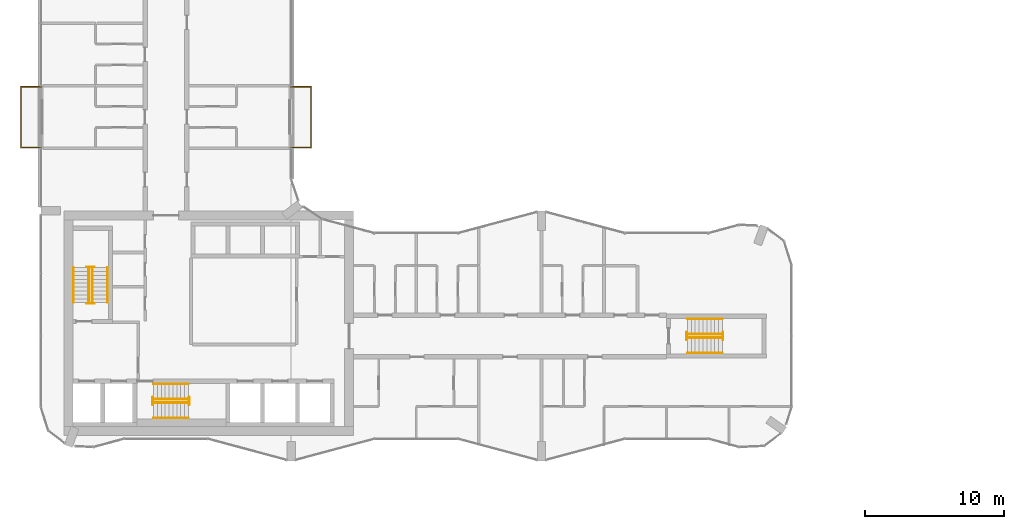
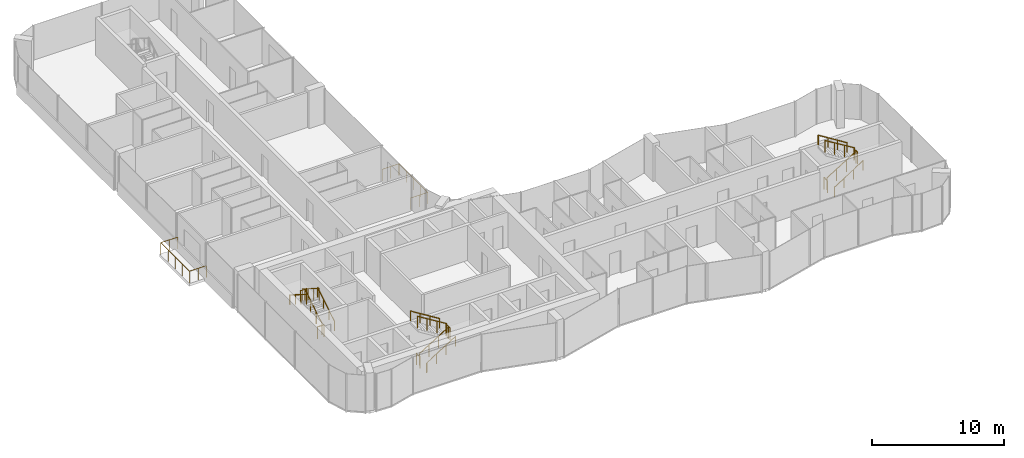
# One storey, part 20 of 22: 20 railings.
"""IFC4 building model written with IfcOpenShell, lengths in metres."""

from ifc_helpers import new_model, si_unit, direction, frame, origin, origin_2d, place, context, subcontext, project, spatial, circle, extrude, material, type_object, element, save


model = new_model("IFC4")

# Units and contexts
model_context = context("Model", 3, precision=1e-05, world=origin(), true_north=direction((0.0, 1.0)))
body_context = subcontext(model_context, "Body", "Model", "MODEL_VIEW")
ifc_project = project(units=[si_unit("LENGTHUNIT", "METRE"), si_unit("AREAUNIT", "SQUARE_METRE"), si_unit("VOLUMEUNIT", "CUBIC_METRE"), si_unit("PLANEANGLEUNIT", "RADIAN"), si_unit("MASSUNIT", "GRAM", prefix="KILO")], contexts=[model_context])

# Site, building, storey
site_placement = place(None, origin())
site = spatial("IfcSite", under=ifc_project, at=site_placement, CompositionType="ELEMENT")
building_placement = place(site_placement, origin())
building = spatial("IfcBuilding", under=site, at=building_placement, Name="Plateau Cross Towers", CompositionType="ELEMENT")
storey_placement = place(building_placement, frame((0.0, 0.0, 102.800048828125)))
storey = spatial("IfcBuildingStorey", under=building, at=storey_placement, Name="L26", CompositionType="ELEMENT", Elevation=102.800048828125)

# Railings
ifc_material_1 = material(Name="Stainless steel and toughened glass", Category="steel")
railing_type_1 = type_object("IfcRailingType", Name="Glass balustrade guard 1100", PredefinedType="GUARDRAIL", material=ifc_material_1)
railing_1_placement = place(storey_placement, frame((0.050048828125, 22.570068359375, 0.0)))
element("IfcRailing", 1, at=railing_1_placement, inside=storey, type_object=railing_type_1, Name="Guard guard1", PredefinedType="GUARDRAIL", context=body_context, shape_type="SweptSolid", body=[
    extrude(circle(Radius=0.02392578125, at=origin_2d()), frame((0.0, 0.0, 1.076171875), z_axis=(-1.0, 0.0, 0.0), x_axis=(0.0, -1.0, 0.0)), (0.0, 0.0, 1.0), 1.47998046875),
    extrude(circle(Radius=0.02392578125, at=origin_2d()), frame((-1.47998046875, 0.0, 1.076171875), z_axis=(0.0, 1.0, 0.0), x_axis=(-1.0, 0.0, 0.0)), (0.0, 0.0, 1.0), 4.35986328125),
    extrude(circle(Radius=0.02392578125, at=origin_2d()), frame((-1.47998046875, 4.35986328125, 1.076171875), z_axis=(1.0, 0.0, 0.0), x_axis=(0.0, 1.0, 0.0)), (0.0, 0.0, 1.0), 1.47998046875),
    extrude(circle(Radius=0.02099609375, at=origin_2d()), origin(), (0.0, 0.0, 1.0), 1.052001953125),
    extrude(circle(Radius=0.02099609375, at=origin_2d()), frame((-0.739990234375, 0.0, 0.0)), (0.0, 0.0, 1.0), 1.052001953125),
    extrude(circle(Radius=0.02099609375, at=origin_2d()), frame((-1.47998046875, 0.0, 0.0)), (0.0, 0.0, 1.0), 1.052001953125),
    extrude(circle(Radius=0.02099609375, at=origin_2d()), frame((-1.47998046875, 1.08984375, 0.0)), (0.0, 0.0, 1.0), 1.052001953125),
    extrude(circle(Radius=0.02099609375, at=origin_2d()), frame((-1.47998046875, 2.179931640625, 0.0)), (0.0, 0.0, 1.0), 1.052001953125),
    extrude(circle(Radius=0.02099609375, at=origin_2d()), frame((-1.47998046875, 3.27001953125, 0.0)), (0.0, 0.0, 1.0), 1.052001953125),
    extrude(circle(Radius=0.02099609375, at=origin_2d()), frame((-1.47998046875, 4.35986328125, 0.0)), (0.0, 0.0, 1.0), 1.052001953125),
    extrude(circle(Radius=0.02099609375, at=origin_2d()), frame((-0.739990234375, 4.35986328125, 0.0)), (0.0, 0.0, 1.0), 1.052001953125),
    extrude(circle(Radius=0.02099609375, at=origin_2d()), frame((0.0, 4.35986328125, 0.0)), (0.0, 0.0, 1.0), 1.052001953125),
])
railing_2_placement = place(storey_placement, frame((17.949951171875, 26.929931640625, 0.0)))
element("IfcRailing", 2, at=railing_2_placement, inside=storey, type_object=railing_type_1, Name="Guard guard1", PredefinedType="GUARDRAIL", context=body_context, shape_type="SweptSolid", body=[
    extrude(circle(Radius=0.02392578125, at=origin_2d()), frame((0.0, 0.0, 1.076171875), z_axis=(1.0, 0.0, 0.0), x_axis=(0.0, 1.0, 0.0)), (0.0, 0.0, 1.0), 1.47998046875),
    extrude(circle(Radius=0.02392578125, at=origin_2d()), frame((1.47998046875, 0.0, 1.076171875), z_axis=(0.0, -1.0, 0.0), x_axis=(1.0, 0.0, 0.0)), (0.0, 0.0, 1.0), 4.35986328125),
    extrude(circle(Radius=0.02392578125, at=origin_2d()), frame((1.47998046875, -4.35986328125, 1.076171875), z_axis=(-1.0, 0.0, 0.0), x_axis=(0.0, -1.0, 0.0)), (0.0, 0.0, 1.0), 1.47998046875),
    extrude(circle(Radius=0.02099609375, at=origin_2d()), origin(), (0.0, 0.0, 1.0), 1.052001953125),
    extrude(circle(Radius=0.02099609375, at=origin_2d()), frame((0.739990234375, 0.0, 0.0)), (0.0, 0.0, 1.0), 1.052001953125),
    extrude(circle(Radius=0.02099609375, at=origin_2d()), frame((1.47998046875, 0.0, 0.0)), (0.0, 0.0, 1.0), 1.052001953125),
    extrude(circle(Radius=0.02099609375, at=origin_2d()), frame((1.47998046875, -1.08984375, 0.0)), (0.0, 0.0, 1.0), 1.052001953125),
    extrude(circle(Radius=0.02099609375, at=origin_2d()), frame((1.47998046875, -2.179931640625, 0.0)), (0.0, 0.0, 1.0), 1.052001953125),
    extrude(circle(Radius=0.02099609375, at=origin_2d()), frame((1.47998046875, -3.27001953125, 0.0)), (0.0, 0.0, 1.0), 1.052001953125),
    extrude(circle(Radius=0.02099609375, at=origin_2d()), frame((1.47998046875, -4.35986328125, 0.0)), (0.0, 0.0, 1.0), 1.052001953125),
    extrude(circle(Radius=0.02099609375, at=origin_2d()), frame((0.739990234375, -4.35986328125, 0.0)), (0.0, 0.0, 1.0), 1.052001953125),
    extrude(circle(Radius=0.02099609375, at=origin_2d()), frame((0.0, -4.35986328125, 0.0)), (0.0, 0.0, 1.0), 1.052001953125),
])
railing_type_2 = type_object("IfcRailingType", Name="RL-GUARD-1100", PredefinedType="GUARDRAIL", material=ifc_material_1)
railing_3_placement = place(storey_placement, frame((3.699951171875, 11.39990234375, 0.175048828125)))
element("IfcRailing", 3, at=railing_3_placement, inside=storey, type_object=railing_type_2, Name="L26 ST-1 stair guard 1", PredefinedType="GUARDRAIL", context=body_context, shape_type="SweptSolid", body=[
    extrude(circle(Radius=0.02392578125, at=origin_2d()), frame((0.0, 0.0, 1.076171875), z_axis=(0.0, 0.848007534815, 0.529984170421), x_axis=(-1.0, 0.0, 0.0)), (0.0, 0.0, 1.0), 2.9716796875),
    extrude(circle(Radius=0.02099609375, at=origin_2d()), origin(), (0.0, 0.0, 1.0), 1.052001953125),
    extrude(circle(Radius=0.02099609375, at=origin_2d()), frame((0.0, 0.840087890625, 0.52490234375)), (0.0, 0.0, 1.0), 1.052001953125),
    extrude(circle(Radius=0.02099609375, at=origin_2d()), frame((0.0, 1.679931640625, 1.050048828125)), (0.0, 0.0, 1.0), 1.052001953125),
    extrude(circle(Radius=0.02099609375, at=origin_2d()), frame((0.0, 2.52001953125, 1.574951171875)), (0.0, 0.0, 1.0), 1.052001953125),
])
railing_4_placement = place(storey_placement, frame((3.85009765625, 13.969970703125, 1.75)))
element("IfcRailing", 4, at=railing_4_placement, inside=storey, type_object=railing_type_2, Name="L26 ST-1 stair guard 2", PredefinedType="GUARDRAIL", context=body_context, shape_type="SweptSolid", body=[
    extrude(circle(Radius=0.02392578125, at=origin_2d()), frame((0.0, 0.0, 1.076171875), z_axis=(-1.0, 0.0, 0.0), x_axis=(0.0, -1.0, 0.0)), (0.0, 0.0, 1.0), 0.550048828125),
    extrude(circle(Radius=0.02099609375, at=origin_2d()), origin(), (0.0, 0.0, 1.0), 1.052001953125),
    extrude(circle(Radius=0.02099609375, at=origin_2d()), frame((-0.550048828125, 0.0, 0.0)), (0.0, 0.0, 1.0), 1.052001953125),
])
railing_5_placement = place(storey_placement, frame((3.449951171875, 13.919921875, 1.925048828125)))
element("IfcRailing", 5, at=railing_5_placement, inside=storey, type_object=railing_type_2, Name="L26 ST-1 stair guard 3", PredefinedType="GUARDRAIL", context=body_context, shape_type="SweptSolid", body=[
    extrude(circle(Radius=0.02392578125, at=origin_2d()), frame((0.0, 0.0, 1.076171875), z_axis=(0.0, -0.852616386126, 0.522537365276), x_axis=(1.0, 0.0, 0.0)), (0.0, 0.0, 1.0), 3.01416015625),
    extrude(circle(Radius=0.02099609375, at=origin_2d()), origin(), (0.0, 0.0, 1.0), 1.052001953125),
    extrude(circle(Radius=0.02099609375, at=origin_2d()), frame((0.0, -0.856689453125, 0.52490234375)), (0.0, 0.0, 1.0), 1.052001953125),
    extrude(circle(Radius=0.02099609375, at=origin_2d()), frame((0.0, -1.713134765625, 1.050048828125)), (0.0, 0.0, 1.0), 1.052001953125),
    extrude(circle(Radius=0.02099609375, at=origin_2d()), frame((0.0, -2.56982421875, 1.574951171875)), (0.0, 0.0, 1.0), 1.052001953125),
])
railing_6_placement = place(storey_placement, frame((3.85009765625, 11.35009765625, 0.0)))
element("IfcRailing", 6, at=railing_6_placement, inside=storey, type_object=railing_type_2, Name="L26 ST-1 stair guard 4", PredefinedType="GUARDRAIL", context=body_context, shape_type="SweptSolid", body=[
    extrude(circle(Radius=0.02392578125, at=origin_2d()), frame((0.0, 0.0, 1.076171875), z_axis=(-1.0, 0.0, 0.0), x_axis=(0.0, -1.0, 0.0)), (0.0, 0.0, 1.0), 0.550048828125),
    extrude(circle(Radius=0.02099609375, at=origin_2d()), origin(), (0.0, 0.0, 1.0), 1.052001953125),
    extrude(circle(Radius=0.02099609375, at=origin_2d()), frame((-0.550048828125, 0.0, 0.0)), (0.0, 0.0, 1.0), 1.052001953125),
])
railing_7_placement = place(storey_placement, frame((8.10009765625, 4.199951171875, 0.175048828125)))
element("IfcRailing", 7, at=railing_7_placement, inside=storey, type_object=railing_type_2, Name="L26 ST-2 stair guard 1", PredefinedType="GUARDRAIL", context=body_context, shape_type="SweptSolid", body=[
    extrude(circle(Radius=0.02392578125, at=origin_2d()), frame((0.0, 0.0, 1.076171875), z_axis=(0.848007534815, 0.0, 0.529984170421), x_axis=(0.0, 1.0, 0.0)), (0.0, 0.0, 1.0), 2.9716796875),
    extrude(circle(Radius=0.02099609375, at=origin_2d()), origin(), (0.0, 0.0, 1.0), 1.052001953125),
    extrude(circle(Radius=0.02099609375, at=origin_2d()), frame((0.840087890625, 0.0, 0.52490234375)), (0.0, 0.0, 1.0), 1.052001953125),
    extrude(circle(Radius=0.02099609375, at=origin_2d()), frame((1.679931640625, 0.0, 1.050048828125)), (0.0, 0.0, 1.0), 1.052001953125),
    extrude(circle(Radius=0.02099609375, at=origin_2d()), frame((2.52001953125, 0.0, 1.574951171875)), (0.0, 0.0, 1.0), 1.052001953125),
])
railing_8_placement = place(storey_placement, frame((10.669921875, 4.050048828125, 1.75)))
element("IfcRailing", 8, at=railing_8_placement, inside=storey, type_object=railing_type_2, Name="L26 ST-2 stair guard 2", PredefinedType="GUARDRAIL", context=body_context, shape_type="SweptSolid", body=[
    extrude(circle(Radius=0.02392578125, at=origin_2d()), frame((0.0, 0.0, 1.076171875), z_axis=(0.0, 1.0, 0.0), x_axis=(-1.0, 0.0, 0.0)), (0.0, 0.0, 1.0), 0.550048828125),
    extrude(circle(Radius=0.02099609375, at=origin_2d()), origin(), (0.0, 0.0, 1.0), 1.052001953125),
    extrude(circle(Radius=0.02099609375, at=origin_2d()), frame((0.0, 0.550048828125, 0.0)), (0.0, 0.0, 1.0), 1.052001953125),
])
railing_9_placement = place(storey_placement, frame((10.6201171875, 4.449951171875, 1.925048828125)))
element("IfcRailing", 9, at=railing_9_placement, inside=storey, type_object=railing_type_2, Name="L26 ST-2 stair guard 3", PredefinedType="GUARDRAIL", context=body_context, shape_type="SweptSolid", body=[
    extrude(circle(Radius=0.02392578125, at=origin_2d()), frame((0.0, 0.0, 1.076171875), z_axis=(-0.852638500773, 0.0, 0.522501279423), x_axis=(0.0, -1.0, 0.0)), (0.0, 0.0, 1.0), 3.01416015625),
    extrude(circle(Radius=0.02099609375, at=origin_2d()), origin(), (0.0, 0.0, 1.0), 1.052001953125),
    extrude(circle(Radius=0.02099609375, at=origin_2d()), frame((-0.856689453125, 0.0, 0.52490234375)), (0.0, 0.0, 1.0), 1.052001953125),
    extrude(circle(Radius=0.02099609375, at=origin_2d()), frame((-1.71337890625, 0.0, 1.050048828125)), (0.0, 0.0, 1.0), 1.052001953125),
    extrude(circle(Radius=0.02099609375, at=origin_2d()), frame((-2.570068359375, 0.0, 1.574951171875)), (0.0, 0.0, 1.0), 1.052001953125),
])
railing_10_placement = place(storey_placement, frame((8.050048828125, 4.050048828125, 0.0)))
element("IfcRailing", 10, at=railing_10_placement, inside=storey, type_object=railing_type_2, Name="L26 ST-2 stair guard 4", PredefinedType="GUARDRAIL", context=body_context, shape_type="SweptSolid", body=[
    extrude(circle(Radius=0.02392578125, at=origin_2d()), frame((0.0, 0.0, 1.076171875), z_axis=(0.0, 1.0, 0.0), x_axis=(-1.0, 0.0, 0.0)), (0.0, 0.0, 1.0), 0.550048828125),
    extrude(circle(Radius=0.02099609375, at=origin_2d()), origin(), (0.0, 0.0, 1.0), 1.052001953125),
    extrude(circle(Radius=0.02099609375, at=origin_2d()), frame((0.0, 0.550048828125, 0.0)), (0.0, 0.0, 1.0), 1.052001953125),
])
railing_11_placement = place(storey_placement, frame((46.5, 8.875, 0.175048828125)))
element("IfcRailing", 11, at=railing_11_placement, inside=storey, type_object=railing_type_2, Name="L26 ES-E stair guard 1", PredefinedType="GUARDRAIL", context=body_context, shape_type="SweptSolid", body=[
    extrude(circle(Radius=0.02392578125, at=origin_2d()), frame((0.0, 0.0, 1.076171875), z_axis=(0.848007534815, 0.0, 0.529984170421), x_axis=(0.0, 1.0, 0.0)), (0.0, 0.0, 1.0), 2.9716796875),
    extrude(circle(Radius=0.02099609375, at=origin_2d()), origin(), (0.0, 0.0, 1.0), 1.052001953125),
    extrude(circle(Radius=0.02099609375, at=origin_2d()), frame((0.840087890625, 0.0, 0.52490234375)), (0.0, 0.0, 1.0), 1.052001953125),
    extrude(circle(Radius=0.02099609375, at=origin_2d()), frame((1.679931640625, 0.0, 1.050048828125)), (0.0, 0.0, 1.0), 1.052001953125),
    extrude(circle(Radius=0.02099609375, at=origin_2d()), frame((2.52001953125, 0.0, 1.574951171875)), (0.0, 0.0, 1.0), 1.052001953125),
])
railing_12_placement = place(storey_placement, frame((49.070068359375, 8.72509765625, 1.75)))
element("IfcRailing", 12, at=railing_12_placement, inside=storey, type_object=railing_type_2, Name="L26 ES-E stair guard 2", PredefinedType="GUARDRAIL", context=body_context, shape_type="SweptSolid", body=[
    extrude(circle(Radius=0.02392578125, at=origin_2d()), frame((0.0, 0.0, 1.076171875), z_axis=(0.0, 1.0, 0.0), x_axis=(-1.0, 0.0, 0.0)), (0.0, 0.0, 1.0), 0.5498046875),
    extrude(circle(Radius=0.02099609375, at=origin_2d()), origin(), (0.0, 0.0, 1.0), 1.052001953125),
    extrude(circle(Radius=0.02099609375, at=origin_2d()), frame((0.0, 0.5498046875, 0.0)), (0.0, 0.0, 1.0), 1.052001953125),
])
railing_13_placement = place(storey_placement, frame((49.02001953125, 9.125, 1.925048828125)))
element("IfcRailing", 13, at=railing_13_placement, inside=storey, type_object=railing_type_2, Name="L26 ES-E stair guard 3", PredefinedType="GUARDRAIL", context=body_context, shape_type="SweptSolid", body=[
    extrude(circle(Radius=0.02392578125, at=origin_2d()), frame((0.0, 0.0, 1.076171875), z_axis=(-0.852638500773, 0.0, 0.522501279423), x_axis=(0.0, -1.0, 0.0)), (0.0, 0.0, 1.0), 3.01416015625),
    extrude(circle(Radius=0.02099609375, at=origin_2d()), origin(), (0.0, 0.0, 1.0), 1.052001953125),
    extrude(circle(Radius=0.02099609375, at=origin_2d()), frame((-0.856689453125, 0.0, 0.52490234375)), (0.0, 0.0, 1.0), 1.052001953125),
    extrude(circle(Radius=0.02099609375, at=origin_2d()), frame((-1.71337890625, 0.0, 1.050048828125)), (0.0, 0.0, 1.0), 1.052001953125),
    extrude(circle(Radius=0.02099609375, at=origin_2d()), frame((-2.570068359375, 0.0, 1.574951171875)), (0.0, 0.0, 1.0), 1.052001953125),
])
railing_14_placement = place(storey_placement, frame((46.449951171875, 8.72509765625, 0.0)))
element("IfcRailing", 14, at=railing_14_placement, inside=storey, type_object=railing_type_2, Name="L26 ES-E stair guard 4", PredefinedType="GUARDRAIL", context=body_context, shape_type="SweptSolid", body=[
    extrude(circle(Radius=0.02392578125, at=origin_2d()), frame((0.0, 0.0, 1.076171875), z_axis=(0.0, 1.0, 0.0), x_axis=(-1.0, 0.0, 0.0)), (0.0, 0.0, 1.0), 0.5498046875),
    extrude(circle(Radius=0.02099609375, at=origin_2d()), origin(), (0.0, 0.0, 1.0), 1.052001953125),
    extrude(circle(Radius=0.02099609375, at=origin_2d()), frame((0.0, 0.5498046875, 0.0)), (0.0, 0.0, 1.0), 1.052001953125),
])
ifc_material_2 = material(Name="Black anodised aluminium", Category="aluminium")
railing_type_3 = type_object("IfcRailingType", Name="RL-HANDRAIL-900", PredefinedType="HANDRAIL", material=ifc_material_2)
railing_15_placement = place(storey_placement, frame((4.800048828125, 11.39990234375, 0.175048828125)))
element("IfcRailing", 15, at=railing_15_placement, inside=storey, type_object=railing_type_3, Name="L26 ST-1 stair handrail 1", PredefinedType="HANDRAIL", context=body_context, shape_type="SweptSolid", body=[
    extrude(circle(Radius=0.02392578125, at=origin_2d()), frame((0.0, 0.0, 0.8759765625), z_axis=(0.0, 0.848007534815, 0.529984170421), x_axis=(-1.0, 0.0, 0.0)), (0.0, 0.0, 1.0), 2.9716796875),
    extrude(circle(Radius=0.02099609375, at=origin_2d()), origin(), (0.0, 0.0, 1.0), 0.851806640625),
    extrude(circle(Radius=0.02099609375, at=origin_2d()), frame((0.0, 0.840087890625, 0.52490234375)), (0.0, 0.0, 1.0), 0.851806640625),
    extrude(circle(Radius=0.02099609375, at=origin_2d()), frame((0.0, 1.679931640625, 1.050048828125)), (0.0, 0.0, 1.0), 0.851806640625),
    extrude(circle(Radius=0.02099609375, at=origin_2d()), frame((0.0, 2.52001953125, 1.574951171875)), (0.0, 0.0, 1.0), 0.851806640625),
])
railing_16_placement = place(storey_placement, frame((2.35009765625, 13.919921875, 1.925048828125)))
element("IfcRailing", 16, at=railing_16_placement, inside=storey, type_object=railing_type_3, Name="L26 ST-1 stair handrail 2", PredefinedType="HANDRAIL", context=body_context, shape_type="SweptSolid", body=[
    extrude(circle(Radius=0.02392578125, at=origin_2d()), frame((0.0, 0.0, 0.8759765625), z_axis=(0.0, -0.848007534815, 0.529984170421), x_axis=(1.0, 0.0, 0.0)), (0.0, 0.0, 1.0), 2.9716796875),
    extrude(circle(Radius=0.02099609375, at=origin_2d()), origin(), (0.0, 0.0, 1.0), 0.851806640625),
    extrude(circle(Radius=0.02099609375, at=origin_2d()), frame((0.0, -0.840087890625, 0.52490234375)), (0.0, 0.0, 1.0), 0.851806640625),
    extrude(circle(Radius=0.02099609375, at=origin_2d()), frame((0.0, -1.679931640625, 1.050048828125)), (0.0, 0.0, 1.0), 0.851806640625),
    extrude(circle(Radius=0.02099609375, at=origin_2d()), frame((0.0, -2.52001953125, 1.574951171875)), (0.0, 0.0, 1.0), 0.851806640625),
])
railing_17_placement = place(storey_placement, frame((8.10009765625, 3.10009765625, 0.175048828125)))
element("IfcRailing", 17, at=railing_17_placement, inside=storey, type_object=railing_type_3, Name="L26 ST-2 stair handrail 1", PredefinedType="HANDRAIL", context=body_context, shape_type="SweptSolid", body=[
    extrude(circle(Radius=0.02392578125, at=origin_2d()), frame((0.0, 0.0, 0.8759765625), z_axis=(0.848007534815, 0.0, 0.529984170421), x_axis=(0.0, 1.0, 0.0)), (0.0, 0.0, 1.0), 2.9716796875),
    extrude(circle(Radius=0.02099609375, at=origin_2d()), origin(), (0.0, 0.0, 1.0), 0.851806640625),
    extrude(circle(Radius=0.02099609375, at=origin_2d()), frame((0.840087890625, 0.0, 0.52490234375)), (0.0, 0.0, 1.0), 0.851806640625),
    extrude(circle(Radius=0.02099609375, at=origin_2d()), frame((1.679931640625, 0.0, 1.050048828125)), (0.0, 0.0, 1.0), 0.851806640625),
    extrude(circle(Radius=0.02099609375, at=origin_2d()), frame((2.52001953125, 0.0, 1.574951171875)), (0.0, 0.0, 1.0), 0.851806640625),
])
railing_18_placement = place(storey_placement, frame((10.6201171875, 5.550048828125, 1.925048828125)))
element("IfcRailing", 18, at=railing_18_placement, inside=storey, type_object=railing_type_3, Name="L26 ST-2 stair handrail 2", PredefinedType="HANDRAIL", context=body_context, shape_type="SweptSolid", body=[
    extrude(circle(Radius=0.02392578125, at=origin_2d()), frame((0.0, 0.0, 0.8759765625), z_axis=(-0.848007534815, 0.0, 0.529984170421), x_axis=(0.0, -1.0, 0.0)), (0.0, 0.0, 1.0), 2.9716796875),
    extrude(circle(Radius=0.02099609375, at=origin_2d()), origin(), (0.0, 0.0, 1.0), 0.851806640625),
    extrude(circle(Radius=0.02099609375, at=origin_2d()), frame((-0.840087890625, 0.0, 0.52490234375)), (0.0, 0.0, 1.0), 0.851806640625),
    extrude(circle(Radius=0.02099609375, at=origin_2d()), frame((-1.679931640625, 0.0, 1.050048828125)), (0.0, 0.0, 1.0), 0.851806640625),
    extrude(circle(Radius=0.02099609375, at=origin_2d()), frame((-2.52001953125, 0.0, 1.574951171875)), (0.0, 0.0, 1.0), 0.851806640625),
])
railing_19_placement = place(storey_placement, frame((46.5, 7.77490234375, 0.175048828125)))
element("IfcRailing", 19, at=railing_19_placement, inside=storey, type_object=railing_type_3, Name="L26 ES-E stair handrail 1", PredefinedType="HANDRAIL", context=body_context, shape_type="SweptSolid", body=[
    extrude(circle(Radius=0.02392578125, at=origin_2d()), frame((0.0, 0.0, 0.8759765625), z_axis=(0.848007534815, 0.0, 0.529984170421), x_axis=(0.0, 1.0, 0.0)), (0.0, 0.0, 1.0), 2.9716796875),
    extrude(circle(Radius=0.02099609375, at=origin_2d()), origin(), (0.0, 0.0, 1.0), 0.851806640625),
    extrude(circle(Radius=0.02099609375, at=origin_2d()), frame((0.840087890625, 0.0, 0.52490234375)), (0.0, 0.0, 1.0), 0.851806640625),
    extrude(circle(Radius=0.02099609375, at=origin_2d()), frame((1.679931640625, 0.0, 1.050048828125)), (0.0, 0.0, 1.0), 0.851806640625),
    extrude(circle(Radius=0.02099609375, at=origin_2d()), frame((2.52001953125, 0.0, 1.574951171875)), (0.0, 0.0, 1.0), 0.851806640625),
])
railing_20_placement = place(storey_placement, frame((49.02001953125, 10.22509765625, 1.925048828125)))
element("IfcRailing", 20, at=railing_20_placement, inside=storey, type_object=railing_type_3, Name="L26 ES-E stair handrail 2", PredefinedType="HANDRAIL", context=body_context, shape_type="SweptSolid", body=[
    extrude(circle(Radius=0.02392578125, at=origin_2d()), frame((0.0, 0.0, 0.8759765625), z_axis=(-0.848007534815, 0.0, 0.529984170421), x_axis=(0.0, -1.0, 0.0)), (0.0, 0.0, 1.0), 2.9716796875),
    extrude(circle(Radius=0.02099609375, at=origin_2d()), origin(), (0.0, 0.0, 1.0), 0.851806640625),
    extrude(circle(Radius=0.02099609375, at=origin_2d()), frame((-0.840087890625, 0.0, 0.52490234375)), (0.0, 0.0, 1.0), 0.851806640625),
    extrude(circle(Radius=0.02099609375, at=origin_2d()), frame((-1.679931640625, 0.0, 1.050048828125)), (0.0, 0.0, 1.0), 0.851806640625),
    extrude(circle(Radius=0.02099609375, at=origin_2d()), frame((-2.52001953125, 0.0, 1.574951171875)), (0.0, 0.0, 1.0), 0.851806640625),
])

save(model, "model.ifc")
